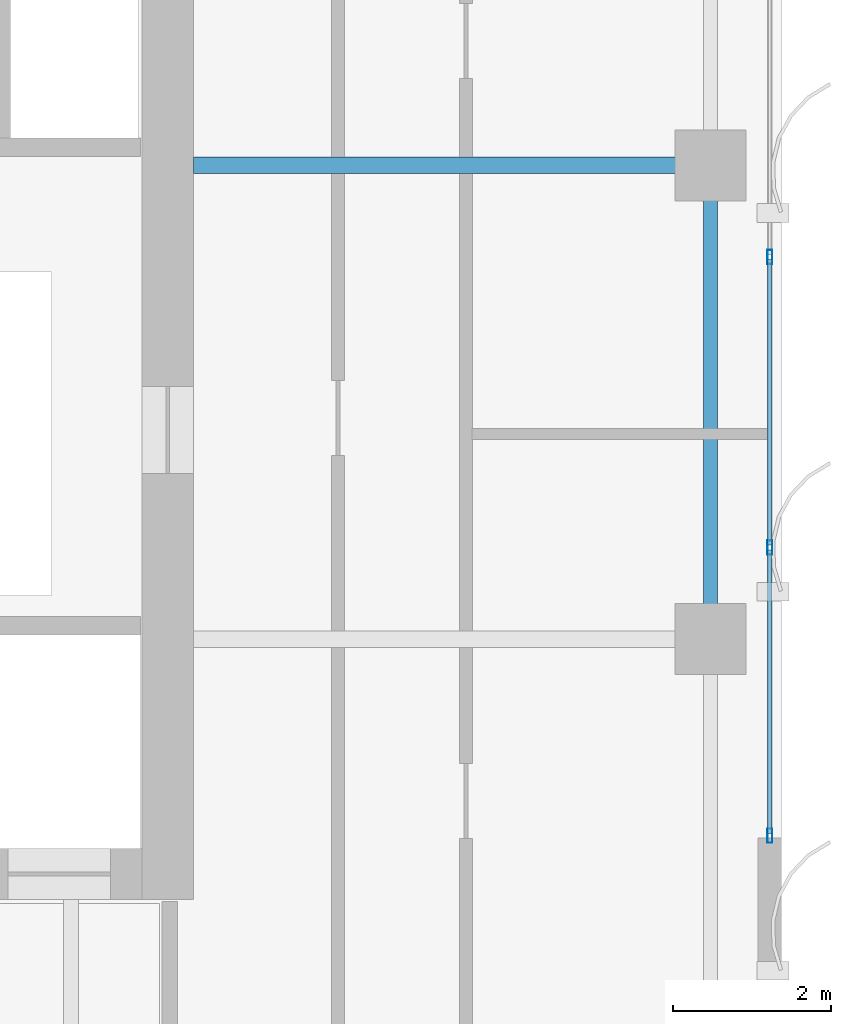
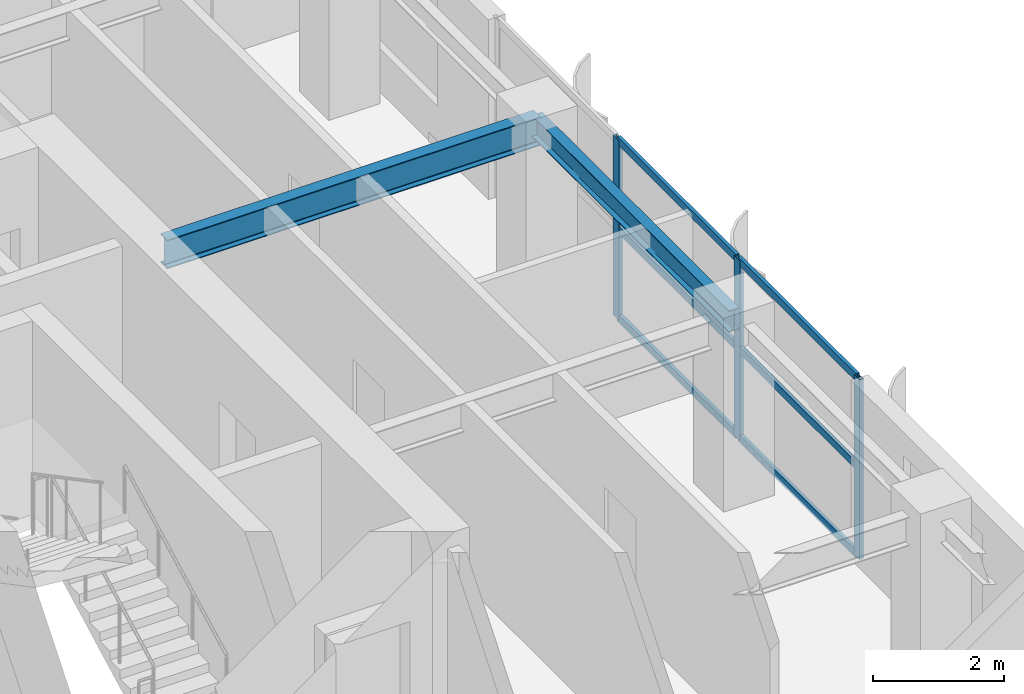
# One storey, part 11 of 22: 9 members, 2 beams, 1 element without a shape of its own.
"""IFC4 building model written with IfcOpenShell, lengths in metres."""

import ifcopenshell
import ifcopenshell.guid

model = None  # the IFC model being written
_history = None  # IfcOwnerHistory: only IFC2X3 demands one
_inside = {}  # id of a spatial element -> (the spatial element, [elements in it])
_under = {}  # id of a project, library or spatial element -> (it, [spatial elements below it])
_declared = {}  # id of a project -> (the project, [libraries it declares])
_typed = {}  # id of a type object -> (the type object, [elements of that type])
_made_of = {}  # id of a material, layer set ... -> (it, [elements and type objects made of it])


def new_model(schema):
    """Start an empty IFC model of exactly this schema.

    Asked for "IFC4X3", IfcOpenShell would pick the latest addendum, in which some entities
    have other attributes; the version numbers below select the first issue.
    IFC2X3 requires an IfcOwnerHistory on every rooted entity: one is made here for all.
    """
    global model, _history
    if schema == "IFC4X3":
        model = ifcopenshell.file(schema_version=(4, 3, 0, 0))
    else:
        model = ifcopenshell.file(schema=schema)
    _inside.clear()
    _under.clear()
    _declared.clear()
    _typed.clear()
    _made_of.clear()
    _history = None
    if model.schema == "IFC2X3":
        org = make("IfcOrganization", Name="unknown")
        user = make(
            "IfcPersonAndOrganization",
            ThePerson=make("IfcPerson", FamilyName="unknown"),
            TheOrganization=org,
        )
        app = make(
            "IfcApplication",
            ApplicationDeveloper=org,
            Version="unknown",
            ApplicationFullName="unknown",
            ApplicationIdentifier="unknown",
        )
        _history = make(
            "IfcOwnerHistory",
            OwningUser=user,
            OwningApplication=app,
            ChangeAction="ADDED",
            CreationDate=0,
        )
    return model


def make(cls, **values):
    """One entity of the class cls with the attributes given. An attribute that is None is left unset."""
    return model.create_entity(
        cls, **{name: value for name, value in values.items() if value is not None}
    )


def rooted(cls, **values):
    """An entity with a GlobalId (a new one), such as an element, a storey or a relation."""
    return make(cls, GlobalId=ifcopenshell.guid.new(), OwnerHistory=_history, **values)


def si_unit(unit_type, name, prefix=None):
    """IfcSIUnit, for example si_unit("LENGTHUNIT", "METRE", prefix="MILLI")."""
    return make("IfcSIUnit", UnitType=unit_type, Prefix=prefix, Name=name)


def assignment(units):
    """IfcUnitAssignment: the units of a project."""
    return None if units is None else make("IfcUnitAssignment", Units=units)


def point(xyz):
    """IfcCartesianPoint."""
    return None if xyz is None else make("IfcCartesianPoint", Coordinates=xyz)


def direction(xyz):
    """IfcDirection."""
    return None if xyz is None else make("IfcDirection", DirectionRatios=xyz)


def frame(location, z_axis=None, x_axis=None):
    """IfcAxis2Placement3D, a coordinate frame: its origin and axes. An axis left out is left unset."""
    return make(
        "IfcAxis2Placement3D",
        Location=point(location),
        Axis=direction(z_axis),
        RefDirection=direction(x_axis),
    )


def frame_2d(location, x_axis=None):
    """IfcAxis2Placement2D, a coordinate frame in the plane: its origin and x axis."""
    return make(
        "IfcAxis2Placement2D", Location=point(location), RefDirection=direction(x_axis)
    )


def origin():
    """The frame at (0, 0, 0) with its axes left unset."""
    return frame((0.0, 0.0, 0.0))


def origin_2d():
    """The frame at (0, 0) in the plane with its x axis left unset."""
    return frame_2d((0.0, 0.0))


def place(relative_to, where):
    """IfcLocalPlacement: puts the frame where relative to a parent placement (None: the world)."""
    return make(
        "IfcLocalPlacement", PlacementRelTo=relative_to, RelativePlacement=where
    )


def context(
    kind, dimensions, precision=None, world=None, true_north=None, identifier=None
):
    """IfcGeometricRepresentationContext, for example the 3D "Model" context."""
    return make(
        "IfcGeometricRepresentationContext",
        ContextIdentifier=identifier,
        ContextType=kind,
        CoordinateSpaceDimension=dimensions,
        Precision=precision,
        WorldCoordinateSystem=world,
        TrueNorth=true_north,
    )


def subcontext(parent, identifier, kind, view, scale=None):
    """IfcGeometricRepresentationSubContext, for example "Body" below "Model"."""
    return make(
        "IfcGeometricRepresentationSubContext",
        ContextIdentifier=identifier,
        ContextType=kind,
        ParentContext=parent,
        TargetScale=scale,
        TargetView=view,
    )


def project(units=None, contexts=None):
    """IfcProject with its units and contexts."""
    return rooted(
        "IfcProject",
        Name="project",
        RepresentationContexts=contexts,
        UnitsInContext=assignment(units),
    )


def spatial(cls, under=None, at=None, **own):
    """A site, building, storey or space (cls), placed at a placement, below another one or the project."""
    s = rooted(cls, ObjectPlacement=at, **own)
    if under is not None:
        _under.setdefault(under.id(), (under, []))[1].append(s)
    return s


def profile(cls, at=None, kind="AREA", **sizes):
    """A parametric profile (cls). Its sizes go by their IFC names, for example OverallWidth=200.0."""
    return make(cls, ProfileType=kind, Position=at, **sizes)


def hollow_rectangle(**sizes):
    """IfcRectangleHollowProfileDef."""
    return profile("IfcRectangleHollowProfileDef", **sizes)


def i_section(**sizes):
    """IfcIShapeProfileDef."""
    return profile("IfcIShapeProfileDef", **sizes)


def extrude(swept, where, along, depth):
    """IfcExtrudedAreaSolid: the profile swept, set in the frame where, extruded along a direction by depth."""
    return make(
        "IfcExtrudedAreaSolid",
        SweptArea=swept,
        Position=where,
        ExtrudedDirection=direction(along),
        Depth=depth,
    )


def shape(context_of_items, identifier, shape_type, items):
    """IfcShapeRepresentation: the items that make up one representation, for example the "Body"."""
    return make(
        "IfcShapeRepresentation",
        ContextOfItems=context_of_items,
        RepresentationIdentifier=identifier,
        RepresentationType=shape_type,
        Items=items,
    )


def source(mapping_origin, context_of_items, identifier, shape_type, items):
    """IfcRepresentationMap: a shape defined once, which mapped items show again and again."""
    return make(
        "IfcRepresentationMap",
        MappingOrigin=mapping_origin,
        MappedRepresentation=shape(context_of_items, identifier, shape_type, items),
    )


def transform(
    local_origin,
    x_axis=None,
    y_axis=None,
    z_axis=None,
    scale=None,
    scale2=None,
    scale3=None,
    uniform=True,
):
    """IfcCartesianTransformationOperator3D, or its non-uniform kind. x_axis, y_axis, z_axis: its Axis1, 2, 3."""
    if uniform:
        return make(
            "IfcCartesianTransformationOperator3D",
            Axis1=direction(x_axis),
            Axis2=direction(y_axis),
            LocalOrigin=point(local_origin),
            Scale=scale,
            Axis3=direction(z_axis),
        )
    return make(
        "IfcCartesianTransformationOperator3DnonUniform",
        Axis1=direction(x_axis),
        Axis2=direction(y_axis),
        LocalOrigin=point(local_origin),
        Scale=scale,
        Axis3=direction(z_axis),
        Scale2=scale2,
        Scale3=scale3,
    )


def mapped(mapping_source, mapping_target):
    """IfcMappedItem: shows the shape of a source again, moved by a transform."""
    return make(
        "IfcMappedItem", MappingSource=mapping_source, MappingTarget=mapping_target
    )


def material(Name=None, Category=None):
    """IfcMaterial."""
    return make("IfcMaterial", Name=Name, Category=Category)


def layer(
    of_material, thickness, ventilated=None, Name=None, Category=None, Priority=None
):
    """IfcMaterialLayer: one layer of a wall or slab, of a material (None: an air gap)."""
    return make(
        "IfcMaterialLayer",
        Material=of_material,
        LayerThickness=thickness,
        IsVentilated=ventilated,
        Name=Name,
        Category=Category,
        Priority=Priority,
    )


def layer_set(layers, Name=None):
    """IfcMaterialLayerSet."""
    return make("IfcMaterialLayerSet", MaterialLayers=layers, LayerSetName=Name)


def material_profile(
    of_material, cross_section, Name=None, Category=None, Priority=None
):
    """IfcMaterialProfile: a cross section and its material."""
    return make(
        "IfcMaterialProfile",
        Name=Name,
        Material=of_material,
        Profile=cross_section,
        Priority=Priority,
        Category=Category,
    )


def profile_set(profiles, Name=None, composite=None):
    """IfcMaterialProfileSet."""
    return make(
        "IfcMaterialProfileSet",
        Name=Name,
        MaterialProfiles=profiles,
        CompositeProfile=composite,
    )


def made_of(thing, what):
    """Note that an element or type object is made of a material, layer set ...; save() writes the relation."""
    if what is not None:
        _made_of.setdefault(what.id(), (what, []))[1].append(thing)
    return thing


def type_object(cls, material=None, **own):
    """A type object (cls), such as IfcWallType, which elements share."""
    return made_of(rooted(cls, **own), material)


def element(
    cls,
    number,
    at=None,
    inside=None,
    cuts=None,
    type_object=None,
    material=None,
    context=None,
    identifier="Body",
    shape_type=None,
    held_by="IfcProductDefinitionShape",
    body=None,
    shapes=None,
    **own,
):
    """One element of the class cls, such as IfcWall. Its Tag is "e" and its number.

    at: its placement. inside: the storey or other place that contains it. cuts: it is an
    opening in that element (IfcRelVoidsElement). A single representation is given by context,
    identifier, shape_type and body (its items); several are given by shapes. held_by: the class
    of the entity that holds the representations. save() writes the other relations.
    """
    e = rooted(cls, Tag="e%d" % number, ObjectPlacement=at, **own)
    if body is not None:
        shapes = [shape(context, identifier, shape_type, body)]
    if shapes is not None:
        e.Representation = make(held_by, Representations=shapes)
    if inside is not None:
        _inside.setdefault(inside.id(), (inside, []))[1].append(e)
    if cuts is not None:
        rooted(
            "IfcRelVoidsElement", RelatingBuildingElement=cuts, RelatedOpeningElement=e
        )
    if type_object is not None:
        _typed.setdefault(type_object.id(), (type_object, []))[1].append(e)
    return made_of(e, material)


def aggregate(whole, parts):
    """IfcRelAggregates: a whole, such as a stair, and the parts it consists of."""
    return rooted("IfcRelAggregates", RelatingObject=whole, RelatedObjects=parts)


def save(model, path):
    """Write the relations noted so far, then the file.

    IfcRelAggregates (storeys below a building ...), IfcRelContainedInSpatialStructure (elements
    in a storey), IfcRelDefinesByType, IfcRelAssociatesMaterial and IfcRelDeclares: one each for
    every whole, place, type object, material and project.
    """
    for whole, parts in _under.values():
        aggregate(whole, parts)
    for where, things in _inside.values():
        rooted(
            "IfcRelContainedInSpatialStructure",
            RelatedElements=things,
            RelatingStructure=where,
        )
    for kind, things in _typed.values():
        rooted("IfcRelDefinesByType", RelatedObjects=things, RelatingType=kind)
    for what, things in _made_of.values():
        rooted("IfcRelAssociatesMaterial", RelatedObjects=things, RelatingMaterial=what)
    for by, libraries in _declared.values():
        rooted("IfcRelDeclares", RelatingContext=by, RelatedDefinitions=libraries)
    model.write(path)


model = new_model("IFC4")

# Units and contexts
model_context = context("Model", 3, precision=1e-05, world=origin(), true_north=direction((0.0, 1.0)))
body_context = subcontext(model_context, "Body", "Model", "MODEL_VIEW")
ifc_project = project(units=[si_unit("LENGTHUNIT", "METRE"), si_unit("AREAUNIT", "SQUARE_METRE"), si_unit("VOLUMEUNIT", "CUBIC_METRE"), si_unit("PLANEANGLEUNIT", "RADIAN"), si_unit("MASSUNIT", "GRAM", prefix="KILO")], contexts=[model_context])

# Site, building, storey
site_placement = place(None, origin())
site = spatial("IfcSite", under=ifc_project, at=site_placement, CompositionType="ELEMENT")
building_placement = place(site_placement, origin())
building = spatial("IfcBuilding", under=site, at=building_placement, Name="Khoralis Quay Care Tower", CompositionType="ELEMENT")
storey_placement = place(building_placement, frame((0.0, 0.0, 188.10009765625)))
storey = spatial("IfcBuildingStorey", under=building, at=storey_placement, Name="L49", CompositionType="ELEMENT", Elevation=188.10009765625)

# Beams
ifc_material_1 = material(Name="Steel S355", Category="steel")
ifc_material_profile_1 = material_profile(ifc_material_1, i_section(OverallWidth=0.179931640625, OverallDepth=0.39990234375, WebThickness=0.008544921875, FlangeThickness=0.013427734375, FilletRadius=0.02099609375, at=origin_2d()), Name="Steel S355")
ifc_profile_set_1 = profile_set([ifc_material_profile_1], Name="Steel S355")
beam_type_1 = type_object("IfcBeamType", Name="BM-IPE400", PredefinedType="SPANDREL", material=ifc_profile_set_1)
shared_shape_1 = source(origin(), body_context, "Body", "SweptSolid", [
    extrude(i_section(OverallWidth=0.179931640625, OverallDepth=0.39990234375, WebThickness=0.008544921875, FlangeThickness=0.013427734375, FilletRadius=0.02099609375, at=origin_2d()), origin(), (0.0, 0.0, 1.0), 6.0),
])
beam_1_placement = place(storey_placement, frame((44.10009765625, 18.0, 3.139892578125), z_axis=(0.0, 1.0, 0.0), x_axis=(-1.0, 0.0, 0.0)))
element("IfcBeam", 1, at=beam_1_placement, inside=storey, type_object=beam_type_1, Name="BM-TSP-L49-12", PredefinedType="SPANDREL", context=body_context, shape_type="MappedRepresentation", body=[
    mapped(shared_shape_1, transform((0.0, 0.0, 0.0), scale=1.0)),
])
ifc_material_profile_2 = material_profile(ifc_material_1, i_section(OverallWidth=0.208984375, OverallDepth=0.532958984375, WebThickness=0.01025390625, FlangeThickness=0.015625, FilletRadius=0.01611328125, at=origin_2d()), Name="Steel S355")
ifc_profile_set_2 = profile_set([ifc_material_profile_2], Name="Steel S355")
beam_type_2 = type_object("IfcBeamType", Name="BM-W530X92", PredefinedType="BEAM", material=ifc_profile_set_2)
shared_shape_2 = source(origin(), body_context, "Body", "SweptSolid", [
    extrude(i_section(OverallWidth=0.208984375, OverallDepth=0.532958984375, WebThickness=0.01025390625, FlangeThickness=0.015625, FilletRadius=0.01611328125, at=origin_2d()), origin(), (0.0, 0.0, 1.0), 6.552001953125),
])
beam_2_placement = place(storey_placement, frame((37.548095703125, 24.0, 3.073486328125), z_axis=(1.0, 0.0, 0.0), x_axis=(0.0, 1.0, 0.0)))
element("IfcBeam", 2, at=beam_2_placement, inside=storey, type_object=beam_type_2, Name="BM-TGXE-L49-240", PredefinedType="BEAM", context=body_context, shape_type="MappedRepresentation", body=[
    mapped(shared_shape_2, transform((0.0, 0.0, 0.0), scale=1.0)),
])

# Curtain wall, members
ifc_material_2 = material(Name="Pale anodised aluminium", Category="aluminium")
ifc_layer = layer(ifc_material_2, 0.159912109375)
ifc_layer_set = layer_set([ifc_layer], Name="Pale anodised aluminium")
curtain_wall_type = type_object("IfcCurtainWallType", Name="CW-SYS-Z3", PredefinedType="NOTDEFINED", material=ifc_layer_set)
curtain_wall_placement = place(storey_placement, origin())
curtain_wall = element("IfcCurtainWall", 3, at=curtain_wall_placement, inside=storey, type_object=curtain_wall_type, Name="L49 Unitised Curtain Wall CW-L49-P2-E5", PredefinedType="NOTDEFINED")
ifc_material_profile_3 = material_profile(ifc_material_2, hollow_rectangle(XDim=0.06494140625, YDim=0.179931640625, WallThickness=0.00390625, at=origin_2d()), Name="Pale anodised aluminium")
ifc_profile_set_3 = profile_set([ifc_material_profile_3], Name="Pale anodised aluminium")
member_type_1 = type_object("IfcMemberType", Name="CW-MUL-180", PredefinedType="MULLION", material=ifc_profile_set_3)
shared_shape_3 = source(origin(), body_context, "Body", "SweptSolid", [
    extrude(hollow_rectangle(XDim=0.06494140625, YDim=0.179931640625, WallThickness=0.00390625, at=origin_2d()), origin(), (0.0, 0.0, 1.0), 3.33984375),
])
member_1_placement = place(storey_placement, frame((44.85009765625, 15.510009765625, 0.0), z_axis=(0.0, 0.0, 1.0), x_axis=(-1.0, 0.0, 0.0)))
member_1 = element("IfcMember", 4, at=member_1_placement, type_object=member_type_1, Name="CW3 mullion 1", PredefinedType="MULLION", context=body_context, shape_type="MappedRepresentation", body=[
    mapped(shared_shape_3, transform((0.0, 0.0, 0.0), scale=1.0)),
])
member_2_placement = place(storey_placement, frame((44.85009765625, 19.159912109375, 0.0), z_axis=(0.0, 0.0, 1.0), x_axis=(-1.0, 0.0, 0.0)))
member_2 = element("IfcMember", 5, at=member_2_placement, type_object=member_type_1, Name="CW3 mullion 2", PredefinedType="MULLION", context=body_context, shape_type="MappedRepresentation", body=[
    mapped(shared_shape_3, transform((0.0, 0.0, 0.0), scale=1.0)),
])
member_3_placement = place(storey_placement, frame((44.85009765625, 22.840087890625, 0.0), z_axis=(0.0, 0.0, 1.0), x_axis=(-1.0, 0.0, 0.0)))
member_3 = element("IfcMember", 6, at=member_3_placement, type_object=member_type_1, Name="CW3 mullion 3", PredefinedType="MULLION", context=body_context, shape_type="MappedRepresentation", body=[
    mapped(shared_shape_3, transform((0.0, 0.0, 0.0), scale=1.0)),
])
ifc_material_profile_4 = material_profile(ifc_material_2, hollow_rectangle(XDim=0.06005859375, YDim=0.139892578125, WallThickness=0.00390625, at=origin_2d()), Name="Pale anodised aluminium")
ifc_profile_set_4 = profile_set([ifc_material_profile_4], Name="Pale anodised aluminium")
member_type_2 = type_object("IfcMemberType", Name="CW-TRN-140", PredefinedType="USERDEFINED", material=ifc_profile_set_4)
shared_shape_4 = source(origin(), body_context, "Body", "SweptSolid", [
    extrude(hollow_rectangle(XDim=0.06005859375, YDim=0.139892578125, WallThickness=0.00390625, at=origin_2d()), origin(), (0.0, 0.0, 1.0), 3.58984375),
])
member_4_placement = place(storey_placement, frame((44.85009765625, 15.5400390625, 0.02978515625), z_axis=(0.0, 1.0, 0.0), x_axis=(-1.0, 0.0, 0.0)))
member_4 = element("IfcMember", 7, at=member_4_placement, type_object=member_type_2, Name="CW3 transom 1.1", ObjectType="TRANSOM", PredefinedType="USERDEFINED", context=body_context, shape_type="MappedRepresentation", body=[
    mapped(shared_shape_4, transform((0.0, 0.0, 0.0), scale=1.0)),
])
member_5_placement = place(storey_placement, frame((44.85009765625, 15.5400390625, 1.669921875), z_axis=(0.0, 1.0, 0.0), x_axis=(-1.0, 0.0, 0.0)))
member_5 = element("IfcMember", 8, at=member_5_placement, type_object=member_type_2, Name="CW3 transom 1.2", ObjectType="TRANSOM", PredefinedType="USERDEFINED", context=body_context, shape_type="MappedRepresentation", body=[
    mapped(shared_shape_4, transform((0.0, 0.0, 0.0), scale=1.0)),
])
member_6_placement = place(storey_placement, frame((44.85009765625, 15.5400390625, 3.309814453125), z_axis=(0.0, 1.0, 0.0), x_axis=(-1.0, 0.0, 0.0)))
member_6 = element("IfcMember", 9, at=member_6_placement, type_object=member_type_2, Name="CW3 transom 1.3", ObjectType="TRANSOM", PredefinedType="USERDEFINED", context=body_context, shape_type="MappedRepresentation", body=[
    mapped(shared_shape_4, transform((0.0, 0.0, 0.0), scale=1.0)),
])
shared_shape_5 = source(origin(), body_context, "Body", "SweptSolid", [
    extrude(hollow_rectangle(XDim=0.06005859375, YDim=0.139892578125, WallThickness=0.00390625, at=origin_2d()), origin(), (0.0, 0.0, 1.0), 3.6201171875),
])
member_7_placement = place(storey_placement, frame((44.85009765625, 19.18994140625, 0.02978515625), z_axis=(0.0, 1.0, 0.0), x_axis=(-1.0, 0.0, 0.0)))
member_7 = element("IfcMember", 10, at=member_7_placement, type_object=member_type_2, Name="CW3 transom 2.1", ObjectType="TRANSOM", PredefinedType="USERDEFINED", context=body_context, shape_type="MappedRepresentation", body=[
    mapped(shared_shape_5, transform((0.0, 0.0, 0.0), scale=1.0)),
])
member_8_placement = place(storey_placement, frame((44.85009765625, 19.18994140625, 1.669921875), z_axis=(0.0, 1.0, 0.0), x_axis=(-1.0, 0.0, 0.0)))
member_8 = element("IfcMember", 11, at=member_8_placement, type_object=member_type_2, Name="CW3 transom 2.2", ObjectType="TRANSOM", PredefinedType="USERDEFINED", context=body_context, shape_type="MappedRepresentation", body=[
    mapped(shared_shape_5, transform((0.0, 0.0, 0.0), scale=1.0)),
])
member_9_placement = place(storey_placement, frame((44.85009765625, 19.18994140625, 3.309814453125), z_axis=(0.0, 1.0, 0.0), x_axis=(-1.0, 0.0, 0.0)))
member_9 = element("IfcMember", 12, at=member_9_placement, type_object=member_type_2, Name="CW3 transom 2.3", ObjectType="TRANSOM", PredefinedType="USERDEFINED", context=body_context, shape_type="MappedRepresentation", body=[
    mapped(shared_shape_5, transform((0.0, 0.0, 0.0), scale=1.0)),
])
aggregate(curtain_wall, [member_1, member_2, member_3, member_4, member_5, member_6, member_7, member_8, member_9])

save(model, "model.ifc")
